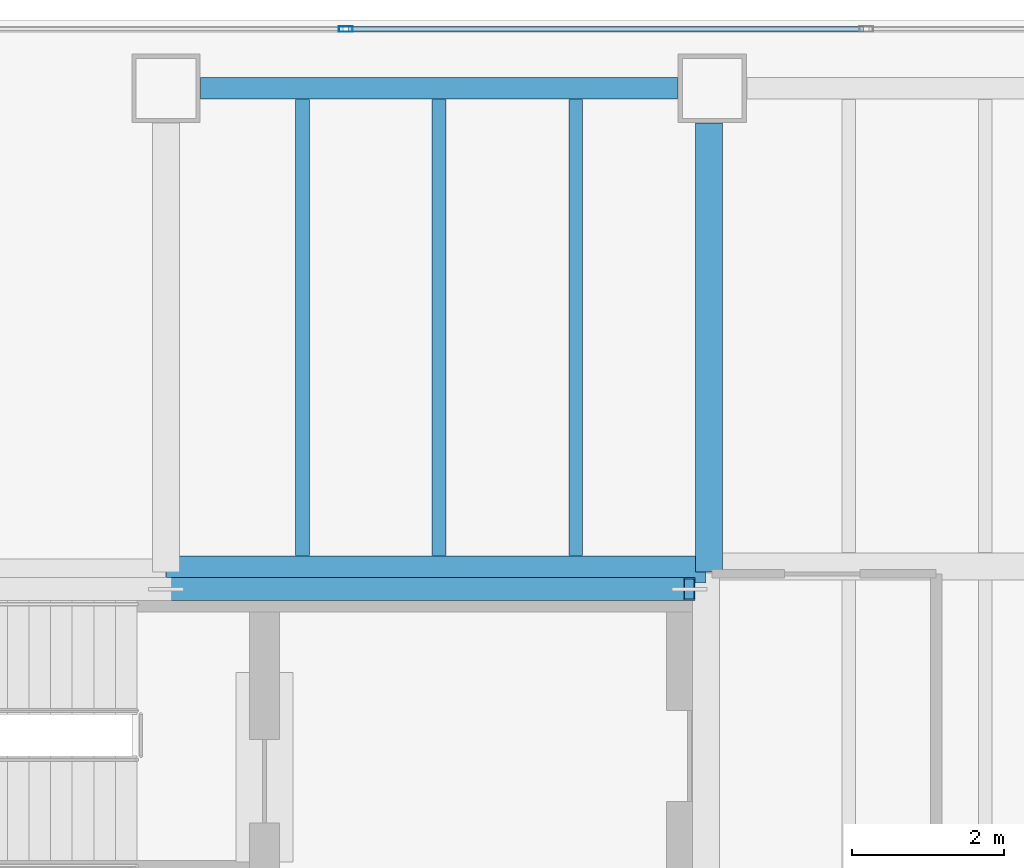
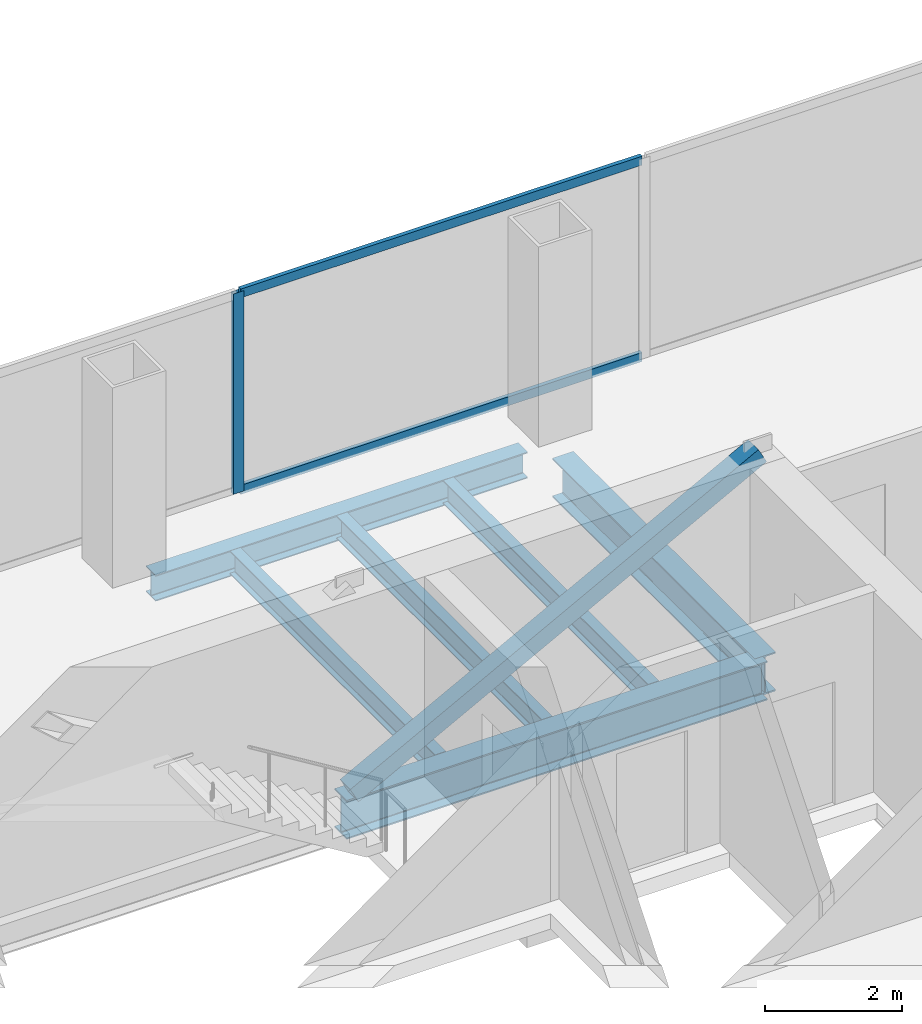
# One storey, part 17 of 23: 6 beams, 4 members, 1 element without a shape of its own.
"""IFC4 building model written with IfcOpenShell, lengths in metres."""

from ifc_helpers import new_model, si_unit, direction, frame, origin, origin_2d, place, context, subcontext, project, spatial, hollow_rectangle, i_section, extrude, material, material_profile, profile_set, type_object, element, aggregate, save


model = new_model("IFC4")

# Units and contexts
model_context = context("Model", 3, precision=1e-05, world=origin(), true_north=direction((0.0, 1.0)))
body_context = subcontext(model_context, "Body", "Model", "MODEL_VIEW")
ifc_project = project(units=[si_unit("LENGTHUNIT", "METRE"), si_unit("AREAUNIT", "SQUARE_METRE"), si_unit("VOLUMEUNIT", "CUBIC_METRE"), si_unit("PLANEANGLEUNIT", "RADIAN"), si_unit("MASSUNIT", "GRAM", prefix="KILO")], contexts=[model_context])

# Site, building, storey
site_placement = place(None, origin())
site = spatial("IfcSite", under=ifc_project, at=site_placement, CompositionType="ELEMENT")
building_placement = place(site_placement, origin())
building = spatial("IfcBuilding", under=site, at=building_placement, Name="Cobrela Telecom Tower", CompositionType="ELEMENT")
storey_placement = place(building_placement, frame((0.0, 0.0, 144.550048828125)))
storey = spatial("IfcBuildingStorey", under=building, at=storey_placement, Name="L36", CompositionType="ELEMENT", Elevation=144.550048828125)

# Beams
ifc_material_1 = material(Name="Steel ASTM A992 Grade 50", Category="steel")
ifc_material_profile_1 = material_profile(ifc_material_1, i_section(OverallWidth=0.35595703125, OverallDepth=0.696044921875, WebThickness=0.015380859375, FlangeThickness=0.024658203125, FilletRadius=0.01806640625, at=origin_2d()), Name="W27X146")
ifc_profile_set_1 = profile_set([ifc_material_profile_1], Name="Steel ASTM A992 Grade 50")
beam_type_1 = type_object("IfcBeamType", Name="BM-GIRD-05", PredefinedType="USERDEFINED", material=ifc_profile_set_1)
beam_1_placement = place(storey_placement, frame((7.205078125, 35.9599609375, -0.6181640625), z_axis=(1.0, 0.0, 0.0), x_axis=(0.0, 1.0, 0.0)))
element("IfcBeam", 1, at=beam_1_placement, inside=storey, type_object=beam_type_1, Name="L36 Primary Girder X26", ObjectType="GIRDER", PredefinedType="USERDEFINED", context=body_context, shape_type="SweptSolid", body=[
    extrude(i_section(OverallWidth=0.35595703125, OverallDepth=0.696044921875, WebThickness=0.015380859375, FlangeThickness=0.024658203125, FilletRadius=0.01806640625, at=origin_2d()), origin(), (0.0, 0.0, 1.0), 7.10986328125),
])
beam_2_placement = place(storey_placement, frame((14.360107421875, 35.925048828125, -0.6181640625), z_axis=(0.0, 1.0, 0.0), x_axis=(-1.0, 0.0, 0.0)))
element("IfcBeam", 2, at=beam_2_placement, inside=storey, type_object=beam_type_1, Name="L36 Primary Girder Y38", ObjectType="GIRDER", PredefinedType="USERDEFINED", context=body_context, shape_type="SweptSolid", body=[
    extrude(i_section(OverallWidth=0.35595703125, OverallDepth=0.696044921875, WebThickness=0.015380859375, FlangeThickness=0.024658203125, FilletRadius=0.01806640625, at=origin_2d()), origin(), (0.0, 0.0, 1.0), 5.919921875),
])
ifc_material_profile_2 = material_profile(ifc_material_1, i_section(OverallWidth=0.179931640625, OverallDepth=0.4169921875, WebThickness=0.010986328125, FlangeThickness=0.01806640625, FilletRadius=0.011962890625, at=origin_2d()), Name="W16X57")
ifc_profile_set_2 = profile_set([ifc_material_profile_2], Name="Steel ASTM A992 Grade 50")
beam_type_2 = type_object("IfcBeamType", Name="BM-JOIST-04", PredefinedType="JOIST", material=ifc_profile_set_2)
for number, where, z_axis, x_axis, name in (
    (3, (9.0, 36.14306640625, -0.478515625), (0.0, 1.0, 0.0), (-1.0, 0.0, 0.0), "L36 Secondary Composite Floor Beam J01"),
    (4, (10.800048828125, 36.14306640625, -0.478515625), (0.0, 1.0, 0.0), (-1.0, 0.0, 0.0), "L36 Secondary Composite Floor Beam J02"),
    (5, (12.60009765625, 36.14306640625, -0.478515625), (0.0, 1.0, 0.0), (-1.0, 0.0, 0.0), "L36 Secondary Composite Floor Beam J03"),
):
    element("IfcBeam", number, at=place(storey_placement, frame(where, z_axis=z_axis, x_axis=x_axis)), inside=storey, type_object=beam_type_2, Name=name, PredefinedType="JOIST", context=body_context, shape_type="SweptSolid", body=[
        extrude(i_section(OverallWidth=0.179931640625, OverallDepth=0.4169921875, WebThickness=0.010986328125, FlangeThickness=0.01806640625, FilletRadius=0.011962890625, at=origin_2d()), origin(), (0.0, 0.0, 1.0), 6.010986328125),
    ])
ifc_material_profile_3 = material_profile(ifc_material_1, i_section(OverallWidth=0.281982421875, OverallDepth=0.467041015625, WebThickness=0.01220703125, FlangeThickness=0.01953125, FilletRadius=0.012939453125, at=origin_2d()), Name="W18X86")
ifc_profile_set_3 = profile_set([ifc_material_profile_3], Name="Steel ASTM A992 Grade 50")
beam_type_3 = type_object("IfcBeamType", Name="BM-SPAND-04", PredefinedType="SPANDREL", material=ifc_profile_set_3)
beam_3_placement = place(storey_placement, frame((7.655029296875, 42.300048828125, -0.503662109375), z_axis=(1.0, 0.0, 0.0), x_axis=(0.0, 1.0, 0.0)))
element("IfcBeam", 6, at=beam_3_placement, inside=storey, type_object=beam_type_3, Name="L36 Perimeter Spandrel X29", PredefinedType="SPANDREL", context=body_context, shape_type="SweptSolid", body=[
    extrude(i_section(OverallWidth=0.281982421875, OverallDepth=0.467041015625, WebThickness=0.01220703125, FlangeThickness=0.01953125, FilletRadius=0.012939453125, at=origin_2d()), origin(), (0.0, 0.0, 1.0), 6.2900390625),
])

# Curtain wall, members
ifc_material_2 = material(Name="Anodized Bronze Aluminium 6063-T6", Category="aluminium")
curtain_wall_type = type_object("IfcCurtainWallType", Name="CW-SYS-TEL", PredefinedType="USERDEFINED", material=ifc_material_2)
curtain_wall_placement = place(storey_placement, origin())
curtain_wall = element("IfcCurtainWall", 7, at=curtain_wall_placement, inside=storey, type_object=curtain_wall_type, Name="L36 Unitised Bronze Curtain Wall 07", ObjectType="UNITISED CURTAIN WALL", PredefinedType="USERDEFINED")
ifc_material_profile_4 = material_profile(ifc_material_2, hollow_rectangle(XDim=0.074951171875, YDim=0.179931640625, WallThickness=0.00390625, at=origin_2d()), Name="ALU 75x180x4")
ifc_profile_set_4 = profile_set([ifc_material_profile_4], Name="Anodized Bronze Aluminium 6063-T6")
member_type_1 = type_object("IfcMemberType", Name="CW-SYS-TEL-MUL", PredefinedType="MULLION", material=ifc_profile_set_4)
member_1_placement = place(storey_placement, frame((9.570068359375, 43.080078125, 0.0), z_axis=(0.0, 0.0, 1.0), x_axis=(0.0, 1.0, 0.0)))
member_1 = element("IfcMember", 8, at=member_1_placement, type_object=member_type_1, Name="CW-TEL mullion 2", PredefinedType="MULLION", context=body_context, shape_type="SweptSolid", body=[
    extrude(hollow_rectangle(XDim=0.074951171875, YDim=0.179931640625, WallThickness=0.00390625, at=origin_2d()), origin(), (0.0, 0.0, 1.0), 3.579833984375),
])
ifc_material_profile_5 = material_profile(ifc_material_2, hollow_rectangle(XDim=0.070068359375, YDim=0.159912109375, WallThickness=0.00390625, at=origin_2d()), Name="ALU 70x160x4")
ifc_profile_set_5 = profile_set([ifc_material_profile_5], Name="Anodized Bronze Aluminium 6063-T6")
member_type_2 = type_object("IfcMemberType", Name="CW-SYS-TEL-TRN", PredefinedType="USERDEFINED", material=ifc_profile_set_5)
member_2_placement = place(storey_placement, frame((9.607421875, 43.080078125, 0.034912109375), z_axis=(1.0, 0.0, 0.0), x_axis=(0.0, 1.0, 0.0)))
member_2 = element("IfcMember", 9, at=member_2_placement, type_object=member_type_2, Name="CW-TEL transom 2.1", ObjectType="TRANSOM", PredefinedType="USERDEFINED", context=body_context, shape_type="SweptSolid", body=[
    extrude(hollow_rectangle(XDim=0.070068359375, YDim=0.159912109375, WallThickness=0.00390625, at=origin_2d()), origin(), (0.0, 0.0, 1.0), 6.78515625),
])
member_3_placement = place(storey_placement, frame((9.607421875, 43.080078125, 3.544921875), z_axis=(1.0, 0.0, 0.0), x_axis=(0.0, 1.0, 0.0)))
member_3 = element("IfcMember", 10, at=member_3_placement, type_object=member_type_2, Name="CW-TEL transom 2.2", ObjectType="TRANSOM", PredefinedType="USERDEFINED", context=body_context, shape_type="SweptSolid", body=[
    extrude(hollow_rectangle(XDim=0.070068359375, YDim=0.159912109375, WallThickness=0.00390625, at=origin_2d()), origin(), (0.0, 0.0, 1.0), 6.78515625),
])
aggregate(curtain_wall, [member_1, member_2, member_3])

# Member
ifc_material_3 = material(Name="Steel ASTM A572 Grade 50", Category="steel")
ifc_material_profile_6 = material_profile(ifc_material_3, hollow_rectangle(XDim=0.300048828125, YDim=0.300048828125, WallThickness=0.01611328125, at=origin_2d()), Name="HSS 300x300x16")
ifc_profile_set_6 = profile_set([ifc_material_profile_6], Name="Steel ASTM A572 Grade 50")
member_type_3 = type_object("IfcMemberType", Name="MBR-EXO-03", PredefinedType="BRACE", material=ifc_profile_set_6)
member_4_placement = place(storey_placement, frame((7.199951171875, 35.699951171875, -0.0400390625), z_axis=(0.883422698386, 0.0, 0.468576926423), x_axis=(0.0, 1.0, 0.0)))
element("IfcMember", 11, at=member_4_placement, inside=storey, type_object=member_type_3, Name="L36 Core Flange Steel Brace N2", PredefinedType="BRACE", context=body_context, shape_type="SweptSolid", body=[
    extrude(hollow_rectangle(XDim=0.300048828125, YDim=0.300048828125, WallThickness=0.01611328125, at=origin_2d()), origin(), (0.0, 0.0, 1.0), 7.810791015625),
])

save(model, "model.ifc")
